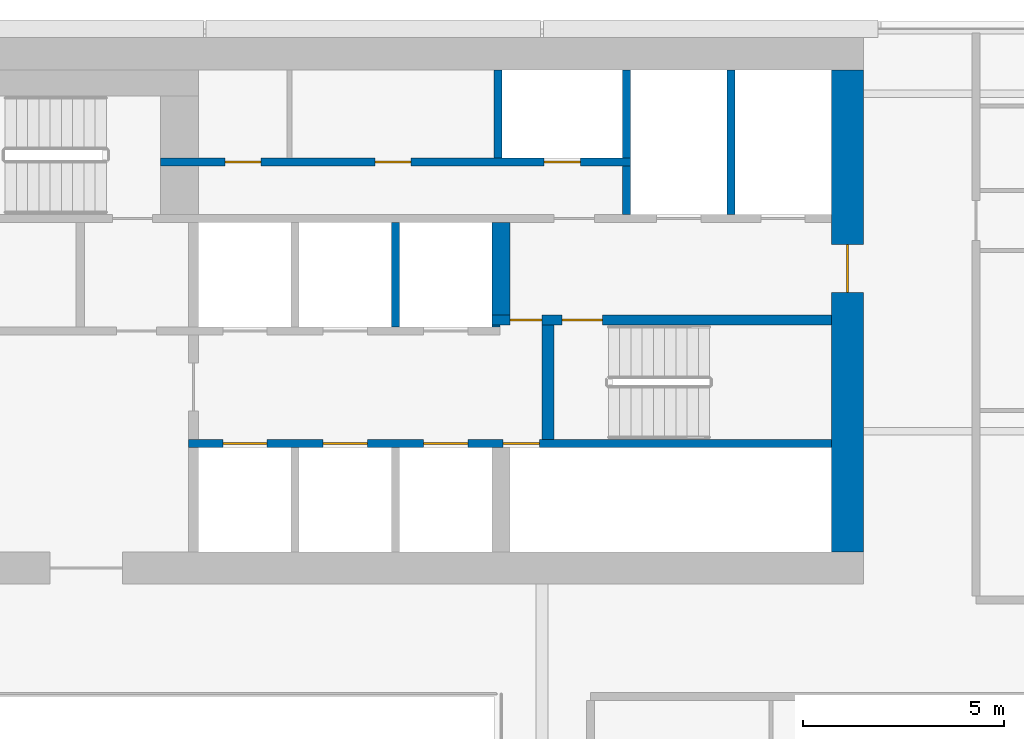
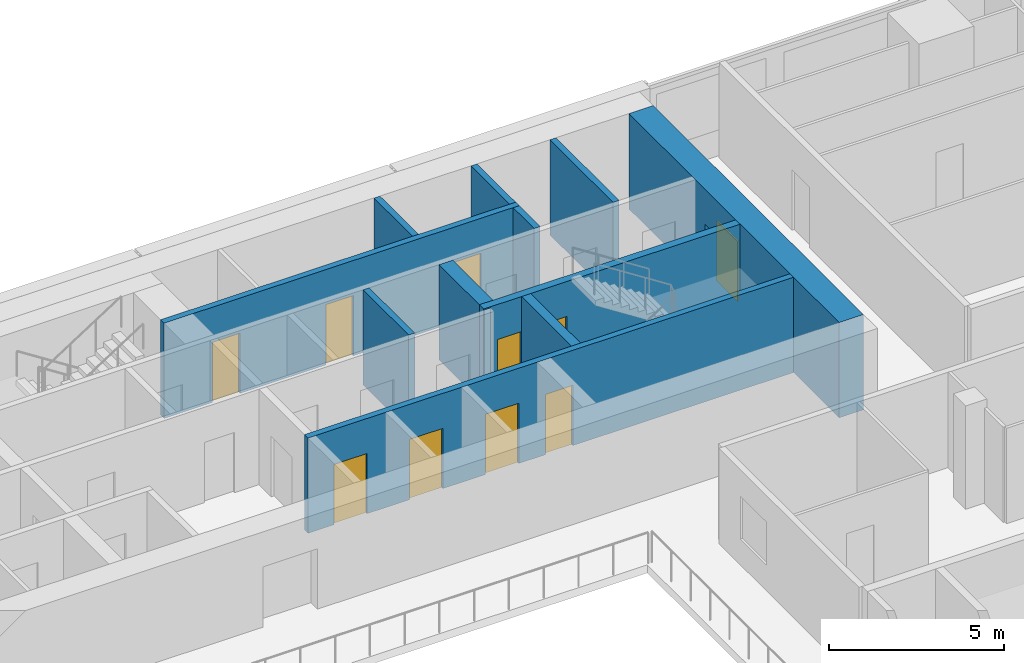
# One storey, part 23 of 30: 12 walls, 10 doors, 10 openings.
"""IFC4 building model written with IfcOpenShell, lengths in metres."""

from ifc_helpers import new_model, si_unit, direction, frame, frame_2d, origin, place, context, subcontext, project, spatial, rectangle, extrude, material, layer, layer_set, type_object, element, fill, save


model = new_model("IFC4")

# Units and contexts
model_context = context("Model", 3, precision=1e-05, world=origin(), true_north=direction((0.0, 1.0)))
body_context = subcontext(model_context, "Body", "Model", "MODEL_VIEW")
ifc_project = project(units=[si_unit("LENGTHUNIT", "METRE"), si_unit("AREAUNIT", "SQUARE_METRE"), si_unit("VOLUMEUNIT", "CUBIC_METRE"), si_unit("PLANEANGLEUNIT", "RADIAN"), si_unit("MASSUNIT", "GRAM", prefix="KILO")], contexts=[model_context])

# Site, building, storey
site_placement = place(None, origin())
site = spatial("IfcSite", under=ifc_project, at=site_placement, CompositionType="ELEMENT")
building_placement = place(site_placement, origin())
building = spatial("IfcBuilding", under=site, at=building_placement, Name="Saffron Gate Tower", CompositionType="ELEMENT")
storey_placement = place(building_placement, frame((0.0, 0.0, 165.449951171875)))
storey = spatial("IfcBuildingStorey", under=building, at=storey_placement, Name="L40", CompositionType="ELEMENT", Elevation=165.449951171875)

# Wall, opening, door
ifc_material_1 = material(Name="Concrete C60", Category="concrete")
ifc_layer_1 = layer(ifc_material_1, 0.800048828125)
ifc_layer_set_1 = layer_set([ifc_layer_1], Name="CW13 RC core wall 800 C60")
wall_type_1 = type_object("IfcWallType", Name="CW13 RC core wall 800 C60", PredefinedType="SOLIDWALL", material=ifc_layer_set_1)
wall_1_placement = place(storey_placement, frame((107.800048828125, 62.39990234375, 0.0), z_axis=(0.0, 0.0, 1.0), x_axis=(0.0, 1.0, 0.0)))
wall_1 = element("IfcWall", 1, at=wall_1_placement, inside=storey, type_object=wall_type_1, Name="Wall CW13-L40-4", PredefinedType="SOLIDWALL", context=body_context, shape_type="SweptSolid", body=[
    extrude(rectangle(XDim=12.0, YDim=0.800048828125, at=frame_2d((6.0, 0.0))), origin(), (0.0, 0.0, 1.0), 3.320068359375),
])
opening_1_placement = place(wall_1_placement, frame((6.449951171875, 0.0, 0.0)))
opening_1 = element("IfcOpeningElement", 2, at=opening_1_placement, cuts=wall_1, Name="Opening CR-08", PredefinedType="OPENING", context=body_context, shape_type="SweptSolid", body=[
    extrude(rectangle(XDim=1.199951171875, YDim=2.10009765625, at=frame_2d((0.60009765625, 1.050048828125))), frame((0.0, 0.41015625, 0.0), z_axis=(0.0, -1.0, 0.0), x_axis=(1.0, 0.0, 0.0)), (0.0, 0.0, 1.0), 0.820068359375),
])
ifc_material_2 = material(Name="Steel fire door set", Category="steel")
door_type_1 = type_object("IfcDoorType", Name="CD7 Core entrance door 1200x2100 EI 120", OperationType="NOTDEFINED", PredefinedType="DOOR", material=ifc_material_2)
door_1_placement = place(opening_1_placement, origin())
door_1 = element("IfcDoor", 3, at=door_1_placement, inside=storey, type_object=door_type_1, Name="DOOR CR-08", OperationType="SINGLE_SWING_RIGHT", OverallHeight=2.10009765625, OverallWidth=1.199951171875, PredefinedType="DOOR", context=body_context, shape_type="SweptSolid", body=[
    extrude(rectangle(XDim=1.199951171875, YDim=2.10009765625, at=frame_2d((0.60009765625, 1.050048828125))), frame((0.0, 0.02490234375, 0.0), z_axis=(0.0, -1.0, 0.0), x_axis=(1.0, 0.0, 0.0)), (0.0, 0.0, 1.0), 0.050048828125),
])
fill(opening_1, door_1)

# Wall, openings, doors
ifc_layer_2 = layer(ifc_material_1, 0.25)
ifc_layer_set_2 = layer_set([ifc_layer_2], Name="CW14 RC core wall 250 C60")
wall_type_2 = type_object("IfcWallType", Name="CW14 RC core wall 250 C60", PredefinedType="SOLIDWALL", material=ifc_layer_set_2)
wall_2_placement = place(storey_placement, frame((98.949951171875, 68.175048828125, 0.0), z_axis=(0.0, 0.0, 1.0), x_axis=(1.0, 0.0, 0.0)))
wall_2 = element("IfcWall", 4, at=wall_2_placement, inside=storey, type_object=wall_type_2, Name="Wall CW14-L40-27", PredefinedType="SOLIDWALL", context=body_context, shape_type="SweptSolid", body=[
    extrude(rectangle(XDim=8.449951171875, YDim=0.25, at=frame_2d((4.22509765625, 0.0))), origin(), (0.0, 0.0, 1.0), 3.320068359375),
])
opening_2_placement = place(wall_2_placement, frame((0.449951171875, 0.0, 0.0)))
opening_2 = element("IfcOpeningElement", 5, at=opening_2_placement, cuts=wall_2, Name="Opening CR-05", PredefinedType="OPENING", context=body_context, shape_type="SweptSolid", body=[
    extrude(rectangle(XDim=0.800048828125, YDim=2.10009765625, at=frame_2d((0.39990234375, 1.050048828125))), frame((0.0, 0.135009765625, 0.0), z_axis=(0.0, -1.0, 0.0), x_axis=(1.0, 0.0, 0.0)), (0.0, 0.0, 1.0), 0.27001953125),
])
opening_3_placement = place(wall_2_placement, frame((1.75, 0.0, 0.0)))
opening_3 = element("IfcOpeningElement", 6, at=opening_3_placement, cuts=wall_2, Name="Opening CR-16", PredefinedType="OPENING", context=body_context, shape_type="SweptSolid", body=[
    extrude(rectangle(XDim=1.0, YDim=2.10009765625, at=frame_2d((0.5, 1.050048828125))), frame((0.0, 0.135009765625, 0.0), z_axis=(0.0, -1.0, 0.0), x_axis=(1.0, 0.0, 0.0)), (0.0, 0.0, 1.0), 0.27001953125),
])
door_type_2 = type_object("IfcDoorType", Name="CD5 Stair door 1000x2100 EI 120", OperationType="NOTDEFINED", PredefinedType="DOOR", material=ifc_material_2)
door_2_placement = place(opening_3_placement, origin())
door_2 = element("IfcDoor", 7, at=door_2_placement, inside=storey, type_object=door_type_2, Name="DOOR CR-16", OperationType="SINGLE_SWING_RIGHT", OverallHeight=2.10009765625, OverallWidth=1.0, PredefinedType="DOOR", context=body_context, shape_type="SweptSolid", body=[
    extrude(rectangle(XDim=1.0, YDim=2.10009765625, at=frame_2d((0.5, 1.050048828125))), frame((0.0, 0.02490234375, 0.0), z_axis=(0.0, -1.0, 0.0), x_axis=(1.0, 0.0, 0.0)), (0.0, 0.0, 1.0), 0.050048828125),
])
fill(opening_3, door_2)
door_type_3 = type_object("IfcDoorType", Name="CD6 Lobby door 800x2100 EI 120", OperationType="NOTDEFINED", PredefinedType="DOOR", material=ifc_material_2)
door_3_placement = place(opening_2_placement, origin())
door_3 = element("IfcDoor", 8, at=door_3_placement, inside=storey, type_object=door_type_3, Name="DOOR CR-05", OperationType="SINGLE_SWING_LEFT", OverallHeight=2.10009765625, OverallWidth=0.800048828125, PredefinedType="DOOR", context=body_context, shape_type="SweptSolid", body=[
    extrude(rectangle(XDim=0.800048828125, YDim=2.10009765625, at=frame_2d((0.39990234375, 1.050048828125))), frame((0.0, 0.02490234375, 0.0), z_axis=(0.0, -1.0, 0.0), x_axis=(1.0, 0.0, 0.0)), (0.0, 0.0, 1.0), 0.050048828125),
])
fill(opening_2, door_3)

ifc_layer_3 = layer(ifc_material_1, 0.199951171875)
ifc_layer_set_3 = layer_set([ifc_layer_3], Name="CW15 RC core wall 200 C60")
wall_type_3 = type_object("IfcWallType", Name="CW15 RC core wall 200 C60", PredefinedType="SOLIDWALL", material=ifc_layer_set_3)
wall_3_placement = place(storey_placement, frame((91.39990234375, 65.10009765625, 0.0), z_axis=(0.0, 0.0, 1.0), x_axis=(1.0, 0.0, 0.0)))
wall_3 = element("IfcWall", 9, at=wall_3_placement, inside=storey, type_object=wall_type_3, Name="Wall CW15-L40-14", PredefinedType="SOLIDWALL", context=body_context, shape_type="SweptSolid", body=[
    extrude(rectangle(XDim=16.0, YDim=0.199951171875, at=frame_2d((8.0, 0.0))), origin(), (0.0, 0.0, 1.0), 3.320068359375),
])
opening_4_placement = place(wall_3_placement, frame((0.85009765625, 0.0, 0.0)))
opening_4 = element("IfcOpeningElement", 10, at=opening_4_placement, cuts=wall_3, Name="Opening LD-HR1", PredefinedType="OPENING", context=body_context, shape_type="SweptSolid", body=[
    extrude(rectangle(XDim=1.10009765625, YDim=2.10009765625, at=frame_2d((0.550048828125, 1.050048828125))), frame((0.0, 0.10986328125, 0.0), z_axis=(0.0, -1.0, 0.0), x_axis=(1.0, 0.0, 0.0)), (0.0, 0.0, 1.0), 0.219970703125),
])
opening_5_placement = place(wall_3_placement, frame((3.35009765625, 0.0, 0.0)))
opening_5 = element("IfcOpeningElement", 11, at=opening_5_placement, cuts=wall_3, Name="Opening LD-HR2", PredefinedType="OPENING", context=body_context, shape_type="SweptSolid", body=[
    extrude(rectangle(XDim=1.10009765625, YDim=2.10009765625, at=frame_2d((0.550048828125, 1.050048828125))), frame((0.0, 0.10986328125, 0.0), z_axis=(0.0, -1.0, 0.0), x_axis=(1.0, 0.0, 0.0)), (0.0, 0.0, 1.0), 0.219970703125),
])
opening_6_placement = place(wall_3_placement, frame((5.85009765625, 0.0, 0.0)))
opening_6 = element("IfcOpeningElement", 12, at=opening_6_placement, cuts=wall_3, Name="Opening LD-HR3", PredefinedType="OPENING", context=body_context, shape_type="SweptSolid", body=[
    extrude(rectangle(XDim=1.10009765625, YDim=2.10009765625, at=frame_2d((0.550048828125, 1.050048828125))), frame((0.0, 0.10986328125, 0.0), z_axis=(0.0, -1.0, 0.0), x_axis=(1.0, 0.0, 0.0)), (0.0, 0.0, 1.0), 0.219970703125),
])
opening_7_placement = place(wall_3_placement, frame((7.830078125, 0.0, 0.0)))
opening_7 = element("IfcOpeningElement", 13, at=opening_7_placement, cuts=wall_3, Name="Opening CR-48", PredefinedType="OPENING", context=body_context, shape_type="SweptSolid", body=[
    extrude(rectangle(XDim=0.89990234375, YDim=2.10009765625, at=frame_2d((0.449951171875, 1.050048828125))), frame((0.0, 0.10986328125, 0.0), z_axis=(0.0, -1.0, 0.0), x_axis=(1.0, 0.0, 0.0)), (0.0, 0.0, 1.0), 0.219970703125),
])
door_type_4 = type_object("IfcDoorType", Name="CD2 Riser door 900x2100 EI 60", OperationType="NOTDEFINED", PredefinedType="DOOR", material=ifc_material_2)
door_4_placement = place(opening_7_placement, origin())
door_4 = element("IfcDoor", 14, at=door_4_placement, inside=storey, type_object=door_type_4, Name="DOOR CR-48", OperationType="SINGLE_SWING_RIGHT", OverallHeight=2.10009765625, OverallWidth=0.89990234375, PredefinedType="DOOR", context=body_context, shape_type="SweptSolid", body=[
    extrude(rectangle(XDim=0.89990234375, YDim=2.10009765625, at=frame_2d((0.449951171875, 1.050048828125))), frame((0.0, 0.02490234375, 0.0), z_axis=(0.0, -1.0, 0.0), x_axis=(1.0, 0.0, 0.0)), (0.0, 0.0, 1.0), 0.050048828125),
])
fill(opening_7, door_4)
ifc_material_3 = material(Name="Stainless steel landing door", Category="steel")
door_type_5 = type_object("IfcDoorType", Name="LD Lift landing door 1100x2100 EI 120", OperationType="SLIDING_TO_LEFT", PredefinedType="DOOR", material=ifc_material_3)
door_5_placement = place(opening_4_placement, origin())
door_5 = element("IfcDoor", 15, at=door_5_placement, inside=storey, type_object=door_type_5, Name="LANDING DOOR LD-HR1", OperationType="SLIDING_TO_LEFT", OverallHeight=2.10009765625, OverallWidth=1.10009765625, PredefinedType="DOOR", context=body_context, shape_type="SweptSolid", body=[
    extrude(rectangle(XDim=1.10009765625, YDim=2.10009765625, at=frame_2d((0.550048828125, 1.050048828125))), frame((0.0, 0.02490234375, 0.0), z_axis=(0.0, -1.0, 0.0), x_axis=(1.0, 0.0, 0.0)), (0.0, 0.0, 1.0), 0.050048828125),
])
fill(opening_4, door_5)
door_6_placement = place(opening_5_placement, origin())
door_6 = element("IfcDoor", 16, at=door_6_placement, inside=storey, type_object=door_type_5, Name="LANDING DOOR LD-HR2", OperationType="SLIDING_TO_LEFT", OverallHeight=2.10009765625, OverallWidth=1.10009765625, PredefinedType="DOOR", context=body_context, shape_type="SweptSolid", body=[
    extrude(rectangle(XDim=1.10009765625, YDim=2.10009765625, at=frame_2d((0.550048828125, 1.050048828125))), frame((0.0, 0.02490234375, 0.0), z_axis=(0.0, -1.0, 0.0), x_axis=(1.0, 0.0, 0.0)), (0.0, 0.0, 1.0), 0.050048828125),
])
fill(opening_5, door_6)
door_7_placement = place(opening_6_placement, origin())
door_7 = element("IfcDoor", 17, at=door_7_placement, inside=storey, type_object=door_type_5, Name="LANDING DOOR LD-HR3", OperationType="SLIDING_TO_LEFT", OverallHeight=2.10009765625, OverallWidth=1.10009765625, PredefinedType="DOOR", context=body_context, shape_type="SweptSolid", body=[
    extrude(rectangle(XDim=1.10009765625, YDim=2.10009765625, at=frame_2d((0.550048828125, 1.050048828125))), frame((0.0, 0.02490234375, 0.0), z_axis=(0.0, -1.0, 0.0), x_axis=(1.0, 0.0, 0.0)), (0.0, 0.0, 1.0), 0.050048828125),
])
fill(opening_6, door_7)

# Walls
wall_4_placement = place(storey_placement, frame((96.550048828125, 68.0, 0.0), z_axis=(0.0, 0.0, 1.0), x_axis=(0.0, 1.0, 0.0)))
element("IfcWall", 18, at=wall_4_placement, inside=storey, type_object=wall_type_3, Name="Wall CW15-L40-24", PredefinedType="SOLIDWALL", context=body_context, shape_type="SweptSolid", body=[
    extrude(rectangle(XDim=2.60009765625, YDim=0.199951171875, at=frame_2d((1.300048828125, 0.0))), origin(), (0.0, 0.0, 1.0), 3.320068359375),
])
wall_5_placement = place(storey_placement, frame((102.300048828125, 70.800048828125, 0.0), z_axis=(0.0, 0.0, 1.0), x_axis=(0.0, 1.0, 0.0)))
element("IfcWall", 19, at=wall_5_placement, inside=storey, type_object=wall_type_3, Name="Wall CW15-L40-35", PredefinedType="SOLIDWALL", context=body_context, shape_type="SweptSolid", body=[
    extrude(rectangle(XDim=1.199951171875, YDim=0.199951171875, at=frame_2d((0.60009765625, 0.0))), origin(), (0.0, 0.0, 1.0), 3.320068359375),
])
wall_6_placement = place(storey_placement, frame((104.89990234375, 70.800048828125, 0.0), z_axis=(0.0, 0.0, 1.0), x_axis=(0.0, 1.0, 0.0)))
element("IfcWall", 20, at=wall_6_placement, inside=storey, type_object=wall_type_3, Name="Wall CW15-L40-36", PredefinedType="SOLIDWALL", context=body_context, shape_type="SweptSolid", body=[
    extrude(rectangle(XDim=3.599853515625, YDim=0.199951171875, at=frame_2d((1.7998046875, 0.0))), origin(), (0.0, 0.0, 1.0), 3.320068359375),
])

# Wall, openings, doors
wall_7_placement = place(storey_placement, frame((90.699951171875, 72.10009765625, 0.0), z_axis=(0.0, 0.0, 1.0), x_axis=(1.0, 0.0, 0.0)))
wall_7 = element("IfcWall", 21, at=wall_7_placement, inside=storey, type_object=wall_type_3, Name="Wall CW15-L40-38", PredefinedType="SOLIDWALL", context=body_context, shape_type="SweptSolid", body=[
    extrude(rectangle(XDim=11.699951171875, YDim=0.199951171875, at=frame_2d((5.85009765625, 0.0))), origin(), (0.0, 0.0, 1.0), 3.320068359375),
])
opening_8_placement = place(wall_7_placement, frame((1.60009765625, 0.0, 0.0)))
opening_8 = element("IfcOpeningElement", 22, at=opening_8_placement, cuts=wall_7, Name="Opening CR-50", PredefinedType="OPENING", context=body_context, shape_type="SweptSolid", body=[
    extrude(rectangle(XDim=0.89990234375, YDim=2.10009765625, at=frame_2d((0.449951171875, 1.050048828125))), frame((0.0, 0.10986328125, 0.0), z_axis=(0.0, -1.0, 0.0), x_axis=(1.0, 0.0, 0.0)), (0.0, 0.0, 1.0), 0.219970703125),
])
opening_9_placement = place(wall_7_placement, frame((5.3349609375, 0.0, 0.0)))
opening_9 = element("IfcOpeningElement", 23, at=opening_9_placement, cuts=wall_7, Name="Opening CR-53", PredefinedType="OPENING", context=body_context, shape_type="SweptSolid", body=[
    extrude(rectangle(XDim=0.89990234375, YDim=2.10009765625, at=frame_2d((0.449951171875, 1.050048828125))), frame((0.0, 0.10986328125, 0.0), z_axis=(0.0, -1.0, 0.0), x_axis=(1.0, 0.0, 0.0)), (0.0, 0.0, 1.0), 0.219970703125),
])
opening_10_placement = place(wall_7_placement, frame((9.550048828125, 0.0, 0.0)))
opening_10 = element("IfcOpeningElement", 24, at=opening_10_placement, cuts=wall_7, Name="Opening CR-70", PredefinedType="OPENING", context=body_context, shape_type="SweptSolid", body=[
    extrude(rectangle(XDim=0.89990234375, YDim=2.10009765625, at=frame_2d((0.449951171875, 1.050048828125))), frame((0.0, 0.10986328125, 0.0), z_axis=(0.0, -1.0, 0.0), x_axis=(1.0, 0.0, 0.0)), (0.0, 0.0, 1.0), 0.219970703125),
])
door_8_placement = place(opening_10_placement, origin())
door_8 = element("IfcDoor", 25, at=door_8_placement, inside=storey, type_object=door_type_4, Name="DOOR CR-70", OperationType="SINGLE_SWING_LEFT", OverallHeight=2.10009765625, OverallWidth=0.89990234375, PredefinedType="DOOR", context=body_context, shape_type="SweptSolid", body=[
    extrude(rectangle(XDim=0.89990234375, YDim=2.10009765625, at=frame_2d((0.449951171875, 1.050048828125))), frame((0.0, 0.02490234375, 0.0), z_axis=(0.0, -1.0, 0.0), x_axis=(1.0, 0.0, 0.0)), (0.0, 0.0, 1.0), 0.050048828125),
])
fill(opening_10, door_8)
door_type_6 = type_object("IfcDoorType", Name="CD9 Room door 900x2100 EI 60", OperationType="NOTDEFINED", PredefinedType="DOOR", material=ifc_material_2)
door_9_placement = place(opening_8_placement, origin())
door_9 = element("IfcDoor", 26, at=door_9_placement, inside=storey, type_object=door_type_6, Name="DOOR CR-50", OperationType="SINGLE_SWING_LEFT", OverallHeight=2.10009765625, OverallWidth=0.89990234375, PredefinedType="DOOR", context=body_context, shape_type="SweptSolid", body=[
    extrude(rectangle(XDim=0.89990234375, YDim=2.10009765625, at=frame_2d((0.449951171875, 1.050048828125))), frame((0.0, 0.02490234375, 0.0), z_axis=(0.0, -1.0, 0.0), x_axis=(1.0, 0.0, 0.0)), (0.0, 0.0, 1.0), 0.050048828125),
])
fill(opening_8, door_9)
door_10_placement = place(opening_9_placement, origin())
door_10 = element("IfcDoor", 27, at=door_10_placement, inside=storey, type_object=door_type_6, Name="DOOR CR-53", OperationType="SINGLE_SWING_LEFT", OverallHeight=2.10009765625, OverallWidth=0.89990234375, PredefinedType="DOOR", context=body_context, shape_type="SweptSolid", body=[
    extrude(rectangle(XDim=0.89990234375, YDim=2.10009765625, at=frame_2d((0.449951171875, 1.050048828125))), frame((0.0, 0.02490234375, 0.0), z_axis=(0.0, -1.0, 0.0), x_axis=(1.0, 0.0, 0.0)), (0.0, 0.0, 1.0), 0.050048828125),
])
fill(opening_9, door_10)

# Walls
for number, where, z_axis, x_axis, name in (
    (28, (99.10009765625, 72.199951171875, 0.0), (0.0, 0.0, 1.0), (0.0, 1.0, 0.0), "Wall CW15-L40-46"),
    (29, (102.300048828125, 72.199951171875, 0.0), (0.0, 0.0, 1.0), (0.0, 1.0, 0.0), "Wall CW15-L40-47"),
):
    element("IfcWall", number, at=place(storey_placement, frame(where, z_axis=z_axis, x_axis=x_axis)), inside=storey, type_object=wall_type_3, Name=name, PredefinedType="SOLIDWALL", context=body_context, shape_type="SweptSolid", body=[
        extrude(rectangle(XDim=2.199951171875, YDim=0.199951171875, at=frame_2d((1.10009765625, 0.0))), origin(), (0.0, 0.0, 1.0), 3.320068359375),
    ])
ifc_layer_4 = layer(ifc_material_1, 0.449951171875)
ifc_layer_set_4 = layer_set([ifc_layer_4], Name="CW16 RC core wall 450 C60")
wall_type_4 = type_object("IfcWallType", Name="CW16 RC core wall 450 C60", PredefinedType="SOLIDWALL", material=ifc_layer_set_4)
wall_8_placement = place(storey_placement, frame((99.175048828125, 68.300048828125, 0.0), z_axis=(0.0, 0.0, 1.0), x_axis=(0.0, 1.0, 0.0)))
element("IfcWall", 30, at=wall_8_placement, inside=storey, type_object=wall_type_4, Name="Wall CW16-L40-29", PredefinedType="SOLIDWALL", context=body_context, shape_type="SweptSolid", body=[
    extrude(rectangle(XDim=2.300048828125, YDim=0.449951171875, at=frame_2d((1.14990234375, 0.0))), origin(), (0.0, 0.0, 1.0), 3.320068359375),
])
ifc_layer_5 = layer(ifc_material_1, 0.300048828125)
ifc_layer_set_5 = layer_set([ifc_layer_5], Name="CW17 RC core wall 300 C60")
wall_type_5 = type_object("IfcWallType", Name="CW17 RC core wall 300 C60", PredefinedType="SOLIDWALL", material=ifc_layer_set_5)
wall_9_placement = place(storey_placement, frame((100.35009765625, 65.199951171875, 0.0), z_axis=(0.0, 0.0, 1.0), x_axis=(0.0, 1.0, 0.0)))
element("IfcWall", 31, at=wall_9_placement, inside=storey, type_object=wall_type_5, Name="Wall CW17-L40-18", PredefinedType="SOLIDWALL", context=body_context, shape_type="SweptSolid", body=[
    extrude(rectangle(XDim=2.85009765625, YDim=0.300048828125, at=frame_2d((1.425048828125, 0.0))), origin(), (0.0, 0.0, 1.0), 3.320068359375),
])
ifc_layer_6 = layer(ifc_material_1, 0.050048828125)
ifc_layer_set_6 = layer_set([ifc_layer_6], Name="CW18 RC core wall 50 C60")
wall_type_6 = type_object("IfcWallType", Name="CW18 RC core wall 50 C60", PredefinedType="SOLIDWALL", material=ifc_layer_set_6)
wall_10_placement = place(storey_placement, frame((98.949951171875, 68.02490234375, 0.0), z_axis=(0.0, 0.0, 1.0), x_axis=(1.0, 0.0, 0.0)))
element("IfcWall", 32, at=wall_10_placement, inside=storey, type_object=wall_type_6, Name="Wall CW18-L40-25", PredefinedType="SOLIDWALL", context=body_context, shape_type="SweptSolid", body=[
    extrude(rectangle(XDim=0.199951171875, YDim=0.050048828125, at=frame_2d((0.10009765625, 0.0))), origin(), (0.0, 0.0, 1.0), 3.320068359375),
])

save(model, "model.ifc")
